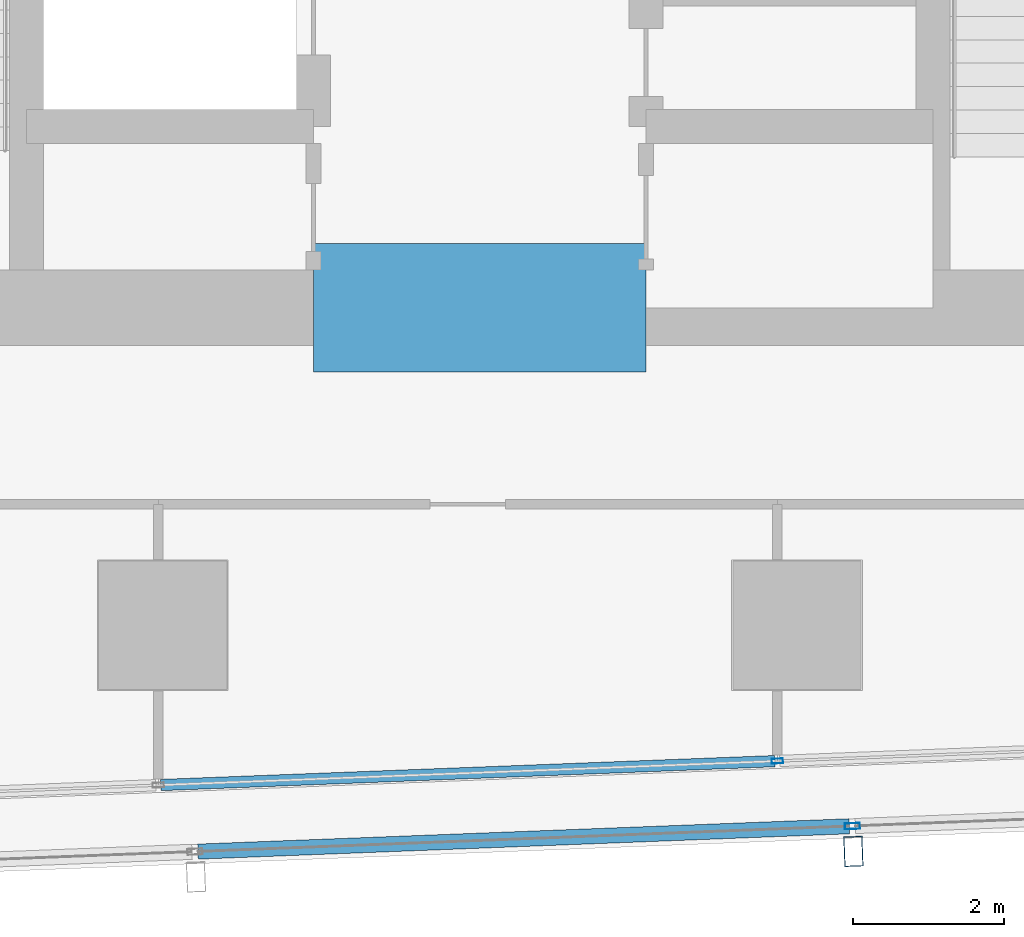
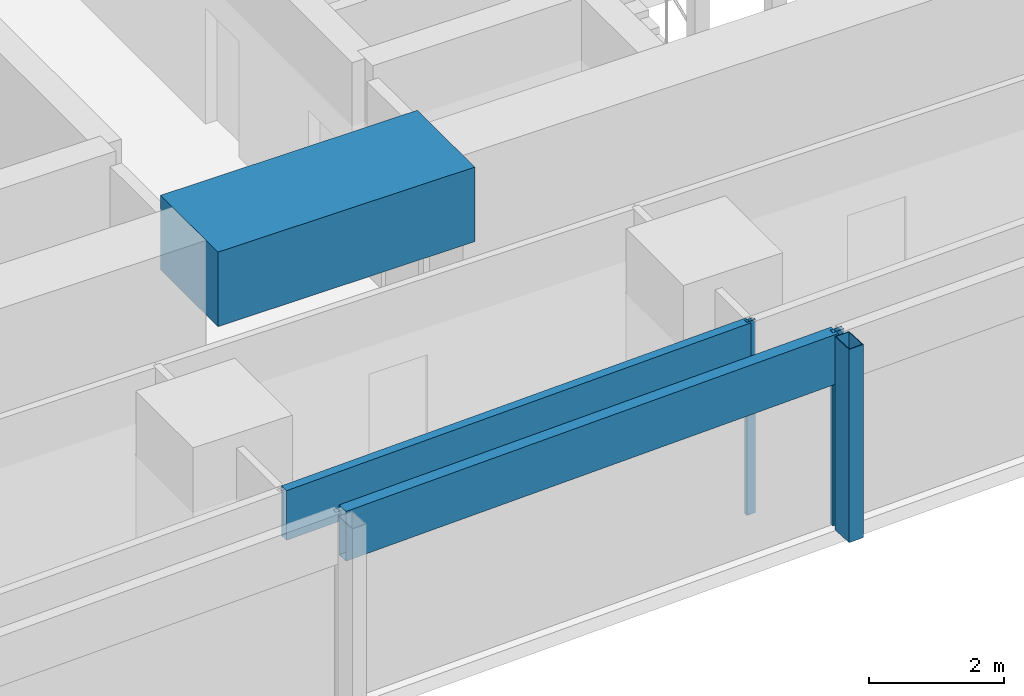
# One storey, part 9 of 40: 5 members, 1 beam, 2 elements without a shape of their own.
"""IFC4 building model written with IfcOpenShell, lengths in metres."""

from ifc_helpers import new_model, si_unit, direction, frame, origin, origin_2d, place, context, subcontext, project, spatial, rectangle, hollow_rectangle, extrude, material, material_profile, profile_set, type_object, element, aggregate, save


model = new_model("IFC4")

# Units and contexts
model_context = context("Model", 3, precision=1e-05, world=origin(), true_north=direction((0.0, 1.0)))
body_context = subcontext(model_context, "Body", "Model", "MODEL_VIEW")
ifc_project = project(units=[si_unit("LENGTHUNIT", "METRE"), si_unit("AREAUNIT", "SQUARE_METRE"), si_unit("VOLUMEUNIT", "CUBIC_METRE"), si_unit("PLANEANGLEUNIT", "RADIAN"), si_unit("MASSUNIT", "GRAM", prefix="KILO")], contexts=[model_context])

# Site, building, storey
site_placement = place(None, origin())
site = spatial("IfcSite", under=ifc_project, at=site_placement, CompositionType="ELEMENT")
building_placement = place(site_placement, origin())
building = spatial("IfcBuilding", under=site, at=building_placement, Name="Rekha Terrace Tower", CompositionType="ELEMENT")
storey_placement = place(building_placement, frame((0.0, 0.0, 140.300048828125)))
storey = spatial("IfcBuildingStorey", under=building, at=storey_placement, Name="L35", CompositionType="ELEMENT", Elevation=140.300048828125)

# Curtain wall, member
ifc_material_1 = material(Name="Aluminium framing", Category="aluminium")
curtain_wall_type_1 = type_object("IfcCurtainWallType", Name="CW2 double skin outer glazing", PredefinedType="USERDEFINED", material=ifc_material_1)
curtain_wall_1_placement = place(storey_placement, origin())
curtain_wall_1 = element("IfcCurtainWall", 1, at=curtain_wall_1_placement, inside=storey, type_object=curtain_wall_type_1, Name="CW2 double skin outer glazing", ObjectType="DOUBLE SKIN OUTER GLAZING", PredefinedType="USERDEFINED")
ifc_material_2 = material(Name="Steel S355 with fluorocarbon finish", Category="steel")
ifc_material_profile_1 = material_profile(ifc_material_2, hollow_rectangle(XDim=0.25, YDim=0.39990234375, WallThickness=0.012451171875, at=origin_2d()), Name="RHS400x250x12.5")
ifc_profile_set_1 = profile_set([ifc_material_profile_1], Name="Steel S355 with fluorocarbon finish")
member_type_1 = type_object("IfcMemberType", Name="BL1 facade blade RHS 400 x 250", PredefinedType="USERDEFINED", material=ifc_profile_set_1)
member_1_placement = place(storey_placement, frame((42.747314453125, 13.802978515625, 0.0), z_axis=(0.0, 0.0, 1.0), x_axis=(0.999243494356, 0.038890088543, 0.0)))
member_1 = element("IfcMember", 2, at=member_1_placement, type_object=member_type_1, Name="Facade blade", ObjectType="FACADE BLADE", PredefinedType="USERDEFINED", context=body_context, shape_type="SweptSolid", body=[
    extrude(hollow_rectangle(XDim=0.25, YDim=0.39990234375, WallThickness=0.012451171875, at=origin_2d()), origin(), (0.0, 0.0, 1.0), 3.5),
])

# Curtain wall, members
curtain_wall_type_2 = type_object("IfcCurtainWallType", Name="CW1 double skin inner glazing", PredefinedType="USERDEFINED", material=ifc_material_1)
curtain_wall_2_placement = place(storey_placement, origin())
curtain_wall_2 = element("IfcCurtainWall", 3, at=curtain_wall_2_placement, inside=storey, type_object=curtain_wall_type_2, Name="CW1 double skin inner glazing", ObjectType="DOUBLE SKIN INNER GLAZING", PredefinedType="USERDEFINED")
ifc_material_3 = material(Name="Aluminium mullion section", Category="aluminium")
ifc_material_profile_2 = material_profile(ifc_material_3, hollow_rectangle(XDim=0.06494140625, YDim=0.14990234375, WallThickness=0.00390625, at=origin_2d()), Name="AL RHS 65x150")
ifc_profile_set_2 = profile_set([ifc_material_profile_2], Name="Aluminium mullion section")
member_type_2 = type_object("IfcMemberType", Name="CW1 mullion RHS 65 x 150", PredefinedType="MULLION", material=ifc_profile_set_2)
member_2_placement = place(storey_placement, frame((41.740234375, 14.999755859375, 0.0), z_axis=(0.0, 0.0, 1.0), x_axis=(-0.038889971345, 0.999243498917, 0.0)))
member_2 = element("IfcMember", 4, at=member_2_placement, type_object=member_type_2, Name="CW1 mullion 3", PredefinedType="MULLION", context=body_context, shape_type="SweptSolid", body=[
    extrude(hollow_rectangle(XDim=0.06494140625, YDim=0.14990234375, WallThickness=0.00390625, at=origin_2d()), origin(), (0.0, 0.0, 1.0), 3.5),
])
ifc_material_4 = material(Name="Insulated aluminium spandrel box", Category="aluminium")
ifc_material_profile_3 = material_profile(ifc_material_4, hollow_rectangle(XDim=0.14990234375, YDim=0.89990234375, WallThickness=0.0029296875, at=origin_2d()), Name="AL SPANDREL BOX 150x900")
ifc_profile_set_3 = profile_set([ifc_material_profile_3], Name="Insulated aluminium spandrel box")
member_type_3 = type_object("IfcMemberType", Name="CW1 spandrel transom 150 x 900", PredefinedType="USERDEFINED", material=ifc_profile_set_3)
member_3_placement = place(storey_placement, frame((33.576416015625, 14.68212890625, 3.050048828125), z_axis=(0.999243790362, 0.038882482205, 0.0), x_axis=(-0.038882482205, 0.999243790362, 0.0)))
member_3 = element("IfcMember", 5, at=member_3_placement, type_object=member_type_3, Name="CW1 spandrel transom 2", ObjectType="TRANSOM", PredefinedType="USERDEFINED", context=body_context, shape_type="SweptSolid", body=[
    extrude(hollow_rectangle(XDim=0.14990234375, YDim=0.89990234375, WallThickness=0.0029296875, at=origin_2d()), origin(), (0.0, 0.0, 1.0), 8.137451171875),
])
aggregate(curtain_wall_2, [member_2, member_3])

# Member
ifc_material_profile_4 = material_profile(ifc_material_3, hollow_rectangle(XDim=0.080078125, YDim=0.199951171875, WallThickness=0.00390625, at=origin_2d()), Name="AL RHS 80x200")
ifc_profile_set_4 = profile_set([ifc_material_profile_4], Name="Aluminium mullion section")
member_type_4 = type_object("IfcMemberType", Name="CW2 mullion RHS 80 x 200", PredefinedType="MULLION", material=ifc_profile_set_4)
member_4_placement = place(storey_placement, frame((42.734130859375, 14.137939453125, 0.0), z_axis=(0.0, 0.0, 1.0), x_axis=(-0.038889971345, 0.999243498917, 0.0)))
member_4 = element("IfcMember", 6, at=member_4_placement, type_object=member_type_4, Name="CW2 mullion 3", PredefinedType="MULLION", context=body_context, shape_type="SweptSolid", body=[
    extrude(hollow_rectangle(XDim=0.080078125, YDim=0.199951171875, WallThickness=0.00390625, at=origin_2d()), origin(), (0.0, 0.0, 1.0), 3.5),
])

ifc_material_profile_5 = material_profile(ifc_material_4, hollow_rectangle(XDim=0.199951171875, YDim=0.89990234375, WallThickness=0.0029296875, at=origin_2d()), Name="AL SPANDREL BOX 200x900")
ifc_profile_set_5 = profile_set([ifc_material_profile_5], Name="Insulated aluminium spandrel box")
member_type_5 = type_object("IfcMemberType", Name="CW2 spandrel transom 200 x 900", PredefinedType="USERDEFINED", material=ifc_profile_set_5)
member_5_placement = place(storey_placement, frame((34.069091796875, 13.800537109375, 3.050048828125), z_axis=(0.999243438523, 0.038891523097, 0.0), x_axis=(-0.038891523097, 0.999243438523, 0.0)))
member_5 = element("IfcMember", 7, at=member_5_placement, type_object=member_type_5, Name="CW2 spandrel transom 2", ObjectType="TRANSOM", PredefinedType="USERDEFINED", context=body_context, shape_type="SweptSolid", body=[
    extrude(hollow_rectangle(XDim=0.199951171875, YDim=0.89990234375, WallThickness=0.0029296875, at=origin_2d()), origin(), (0.0, 0.0, 1.0), 8.631591796875),
])

aggregate(curtain_wall_1, [member_4, member_5, member_1])

# Beam
ifc_material_5 = material(Name="Concrete M70", Category="concrete")
ifc_material_profile_6 = material_profile(ifc_material_5, rectangle(XDim=1.699951171875, YDim=1.35009765625, at=origin_2d()), Name="RC 1700x1350")
ifc_profile_set_6 = profile_set([ifc_material_profile_6], Name="Concrete M70")
beam_type = type_object("IfcBeamType", Name="LB2A 1700x1350 diagonally reinforced coupling beam", PredefinedType="LINTEL", material=ifc_profile_set_6)
beam_placement = place(storey_placement, frame((35.60009765625, 21.0, 3.074951171875), z_axis=(1.0, 0.0, 0.0), x_axis=(0.0, 1.0, 0.0)))
element("IfcBeam", 8, at=beam_placement, inside=storey, type_object=beam_type, Name="Coupling beam LB2A S L35", PredefinedType="LINTEL", context=body_context, shape_type="SweptSolid", body=[
    extrude(rectangle(XDim=1.699951171875, YDim=1.35009765625, at=origin_2d()), origin(), (0.0, 0.0, 1.0), 4.39990234375),
])

save(model, "model.ifc")
